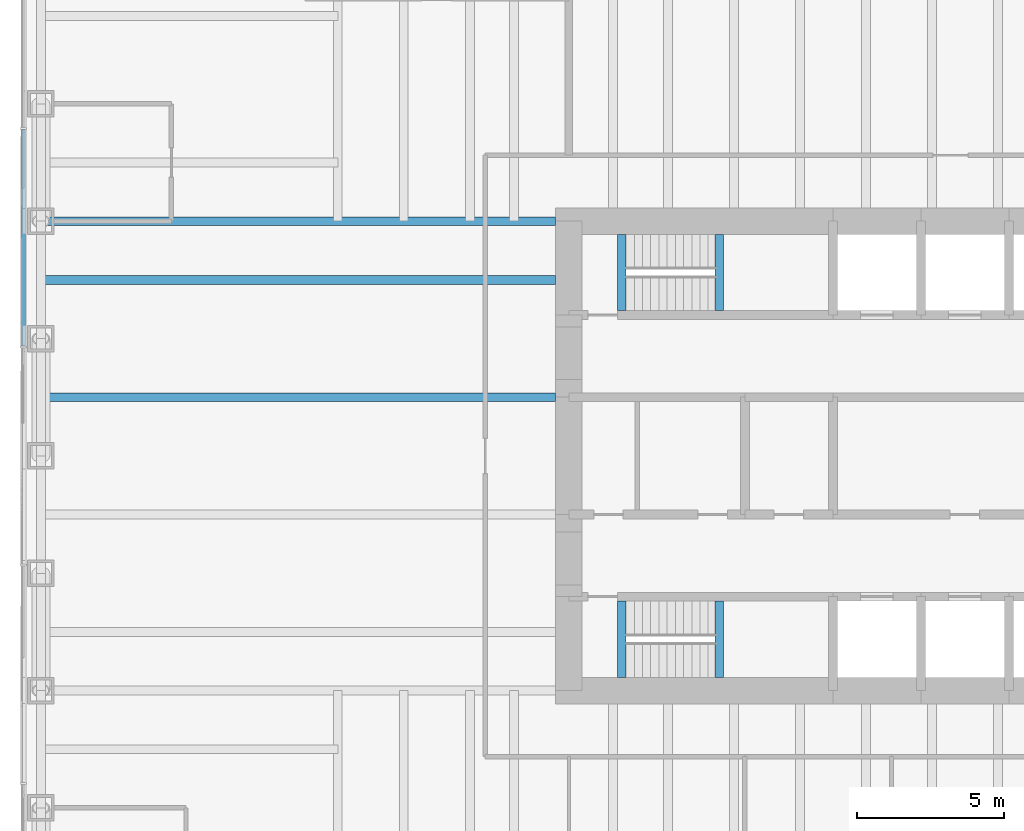
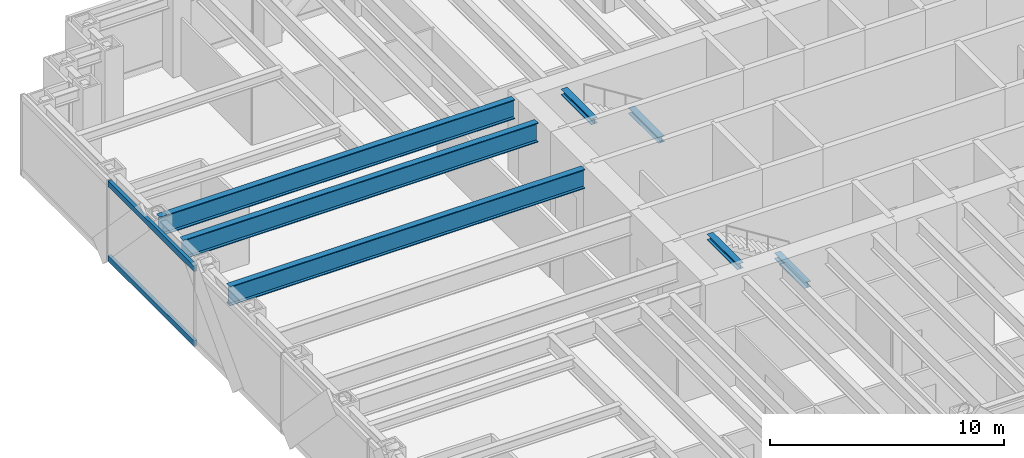
# One storey, part 3 of 15: 7 beams, 2 members, 1 element without a shape of its own.
"""IFC4 building model written with IfcOpenShell, lengths in metres."""

from ifc_helpers import new_model, si_unit, direction, frame, origin, origin_2d, place, context, subcontext, project, spatial, rectangle, i_section, extrude, material, material_profile, profile_set, type_object, element, aggregate, save


model = new_model("IFC4")

# Units and contexts
model_context = context("Model", 3, precision=1e-05, world=origin(), true_north=direction((0.0, 1.0)))
body_context = subcontext(model_context, "Body", "Model", "MODEL_VIEW")
ifc_project = project(units=[si_unit("LENGTHUNIT", "METRE"), si_unit("AREAUNIT", "SQUARE_METRE"), si_unit("VOLUMEUNIT", "CUBIC_METRE"), si_unit("PLANEANGLEUNIT", "RADIAN"), si_unit("MASSUNIT", "GRAM", prefix="KILO")], contexts=[model_context])

# Site, building, storey
site_placement = place(None, origin())
site = spatial("IfcSite", under=ifc_project, at=site_placement, CompositionType="ELEMENT")
building_placement = place(site_placement, origin())
building = spatial("IfcBuilding", under=site, at=building_placement, Name="Rheinbord Bourse Tower", CompositionType="ELEMENT")
storey_placement = place(building_placement, frame((0.0, 0.0, 163.5)))
storey = spatial("IfcBuildingStorey", under=building, at=storey_placement, Name="L36", CompositionType="ELEMENT", Elevation=163.5)

# Curtain wall, members
ifc_material_1 = material(Name="Dark glass and black aluminium", Category="aluminium")
curtain_wall_type = type_object("IfcCurtainWallType", Name="CW2 DARK GLASS CURTAIN WALL", PredefinedType="USERDEFINED", material=ifc_material_1)
curtain_wall_placement = place(storey_placement, origin())
curtain_wall = element("IfcCurtainWall", 1, at=curtain_wall_placement, inside=storey, type_object=curtain_wall_type, Name="Curtain wall CW2 W L36", ObjectType="UNITISED CURTAIN WALL", PredefinedType="USERDEFINED")
ifc_material_2 = material(Name="Black anodised aluminium", Category="aluminium")
ifc_material_profile_1 = material_profile(ifc_material_2, rectangle(XDim=0.159912109375, YDim=0.300048828125, at=origin_2d()), Name="CW2 TRANSOM 300x160")
ifc_profile_set_1 = profile_set([ifc_material_profile_1], Name="Black anodised aluminium")
member_type = type_object("IfcMemberType", Name="CW2 BLACK TRANSOM", PredefinedType="USERDEFINED", material=ifc_profile_set_1)
member_1_placement = place(storey_placement, frame((-0.60009765625, 35.125, 0.14990234375), z_axis=(0.0, -1.0, 0.0), x_axis=(1.0, 0.0, 0.0)))
member_1 = element("IfcMember", 2, at=member_1_placement, type_object=member_type, Name="CW2 transom 2.1", ObjectType="TRANSOM", PredefinedType="USERDEFINED", context=body_context, shape_type="SweptSolid", body=[
    extrude(rectangle(XDim=0.159912109375, YDim=0.300048828125, at=origin_2d()), origin(), (0.0, 0.0, 1.0), 7.3701171875),
])
member_2_placement = place(storey_placement, frame((-0.60009765625, 35.125, 4.050048828125), z_axis=(0.0, -1.0, 0.0), x_axis=(1.0, 0.0, 0.0)))
member_2 = element("IfcMember", 3, at=member_2_placement, type_object=member_type, Name="CW2 transom 2.2", ObjectType="TRANSOM", PredefinedType="USERDEFINED", context=body_context, shape_type="SweptSolid", body=[
    extrude(rectangle(XDim=0.159912109375, YDim=0.300048828125, at=origin_2d()), origin(), (0.0, 0.0, 1.0), 7.3701171875),
])
aggregate(curtain_wall, [member_1, member_2])

# Beams
ifc_material_3 = material(Name="Steel S460", Category="steel")
ifc_material_profile_2 = material_profile(ifc_material_3, i_section(OverallWidth=0.302001953125, OverallDepth=1.008056640625, WebThickness=0.02099609375, FlangeThickness=0.0400390625, at=origin_2d()), Name="HEM 1000")
ifc_profile_set_2 = profile_set([ifc_material_profile_2], Name="Steel S460")
beam_type_1 = type_object("IfcBeamType", Name="END BEAM HEM 1000", PredefinedType="BEAM", material=ifc_profile_set_2)
for number, where, z_axis, x_axis, name in (
    (4, (0.0, 26.0, 3.535888671875), (1.0, 0.0, 0.0), (0.0, 1.0, 0.0), "End beam west 26 L37"),
    (5, (0.0, 30.0, 3.535888671875), (1.0, 0.0, 0.0), (0.0, 1.0, 0.0), "End beam west 30 L37"),
):
    element("IfcBeam", number, at=place(storey_placement, frame(where, z_axis=z_axis, x_axis=x_axis)), inside=storey, type_object=beam_type_1, Name=name, PredefinedType="BEAM", context=body_context, shape_type="SweptSolid", body=[
        extrude(i_section(OverallWidth=0.302001953125, OverallDepth=1.008056640625, WebThickness=0.02099609375, FlangeThickness=0.0400390625, at=origin_2d()), origin(), (0.0, 0.0, 1.0), 17.550048828125),
    ])
ifc_material_4 = material(Name="Steel S460", Category="steel")
ifc_material_profile_3 = material_profile(ifc_material_4, i_section(OverallWidth=0.302001953125, OverallDepth=1.008056640625, WebThickness=0.02099609375, FlangeThickness=0.0400390625, at=origin_2d()), Name="HEM 1000")
ifc_profile_set_3 = profile_set([ifc_material_profile_3], Name="Steel S460")
beam_type_2 = type_object("IfcBeamType", Name="GIRDER HEM 1000", PredefinedType="BEAM", material=ifc_profile_set_3)
beam_placement = place(storey_placement, frame((0.0, 32.0, 3.535888671875), z_axis=(1.0, 0.0, 0.0), x_axis=(0.0, 1.0, 0.0)))
element("IfcBeam", 6, at=beam_placement, inside=storey, type_object=beam_type_2, Name="Girder west 32 L37", PredefinedType="BEAM", context=body_context, shape_type="SweptSolid", body=[
    extrude(i_section(OverallWidth=0.302001953125, OverallDepth=1.008056640625, WebThickness=0.02099609375, FlangeThickness=0.0400390625, at=origin_2d()), origin(), (0.0, 0.0, 1.0), 17.550048828125),
])
ifc_material_5 = material(Name="Steel S460", Category="steel")
ifc_material_profile_4 = material_profile(ifc_material_5, i_section(OverallWidth=0.300048828125, OverallDepth=0.300048828125, WebThickness=0.010986328125, FlangeThickness=0.01904296875, at=origin_2d()), Name="HEB 300")
ifc_profile_set_4 = profile_set([ifc_material_profile_4], Name="Steel S460")
beam_type_3 = type_object("IfcBeamType", Name="LANDING TRIMMER HEB 300", PredefinedType="BEAM", material=ifc_profile_set_4)
for number, where, z_axis, x_axis, name in (
    (7, (23.1298828125, 16.449951171875, 1.75), (0.0, 1.0, 0.0), (-1.0, 0.0, 0.0), "Landing trimmer ST1 L36"),
    (8, (19.800048828125, 16.449951171875, 3.889892578125), (0.0, 1.0, 0.0), (-1.0, 0.0, 0.0), "Well trimmer ST1 under L37"),
    (9, (23.1298828125, 28.949951171875, 1.75), (0.0, 1.0, 0.0), (-1.0, 0.0, 0.0), "Landing trimmer ST2 L36"),
    (10, (19.800048828125, 28.949951171875, 3.889892578125), (0.0, 1.0, 0.0), (-1.0, 0.0, 0.0), "Well trimmer ST2 under L37"),
):
    element("IfcBeam", number, at=place(storey_placement, frame(where, z_axis=z_axis, x_axis=x_axis)), inside=storey, type_object=beam_type_3, Name=name, PredefinedType="BEAM", context=body_context, shape_type="SweptSolid", body=[
        extrude(i_section(OverallWidth=0.300048828125, OverallDepth=0.300048828125, WebThickness=0.010986328125, FlangeThickness=0.01904296875, at=origin_2d()), origin(), (0.0, 0.0, 1.0), 2.60009765625),
    ])

save(model, "model.ifc")
